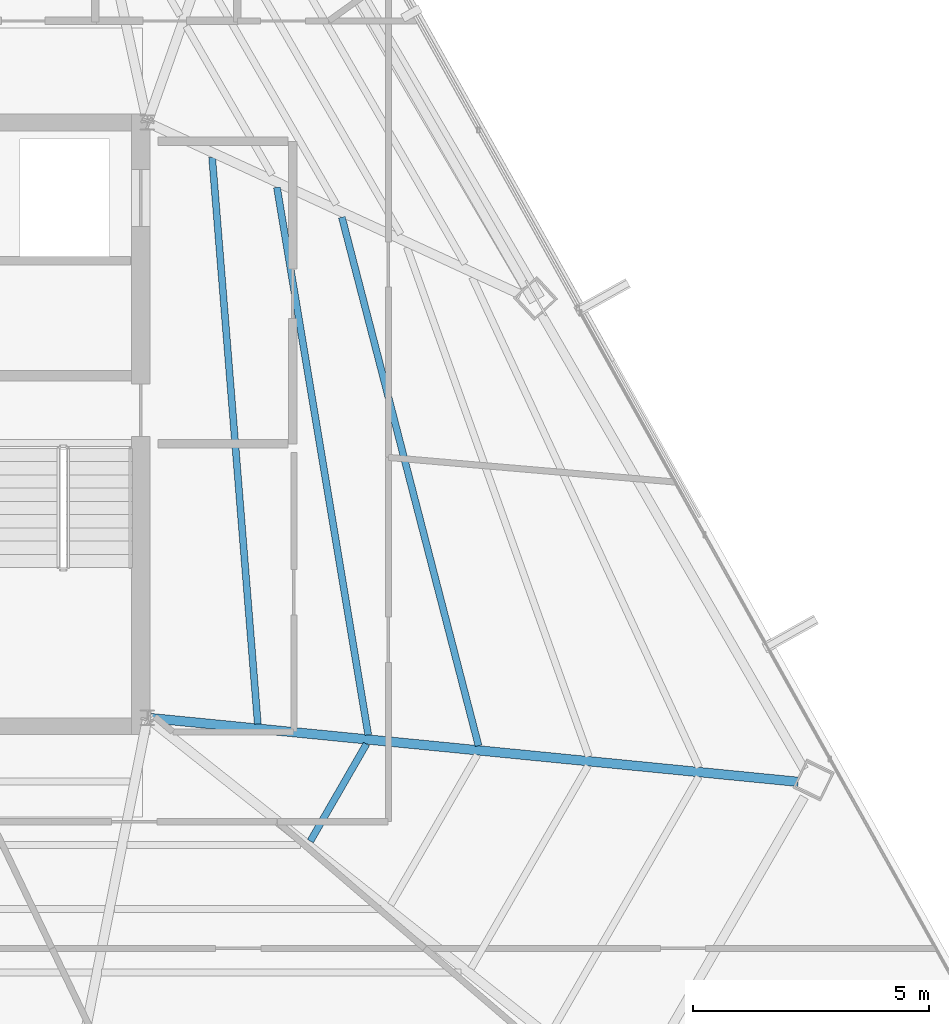
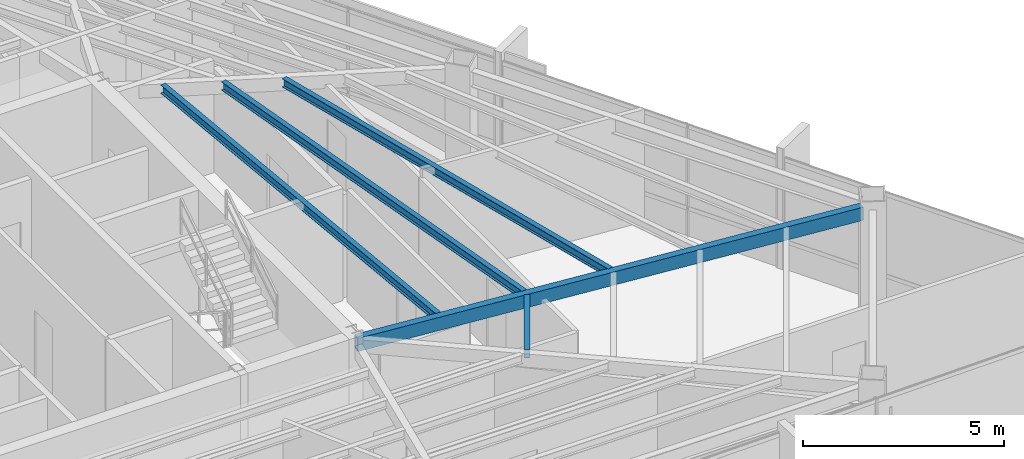
# One storey, part 22 of 46: 5 beams.
"""IFC4 building model written with IfcOpenShell, lengths in metres."""

from ifc_helpers import new_model, si_unit, direction, frame, origin, origin_2d, place, context, subcontext, project, spatial, hollow_rectangle, i_section, extrude, source, transform, mapped, material, material_profile, profile_set, type_object, type_shapes, element, save


model = new_model("IFC4")

# Units and contexts
model_context = context("Model", 3, precision=1e-05, world=origin(), true_north=direction((0.0, 1.0)))
body_context = subcontext(model_context, "Body", "Model", "MODEL_VIEW")
ifc_project = project(units=[si_unit("LENGTHUNIT", "METRE"), si_unit("AREAUNIT", "SQUARE_METRE"), si_unit("VOLUMEUNIT", "CUBIC_METRE"), si_unit("PLANEANGLEUNIT", "RADIAN"), si_unit("MASSUNIT", "GRAM", prefix="KILO")], contexts=[model_context])

# Site, building, storey
site_placement = place(None, origin())
site = spatial("IfcSite", under=ifc_project, at=site_placement, CompositionType="ELEMENT")
building_placement = place(site_placement, origin())
building = spatial("IfcBuilding", under=site, at=building_placement, Name="Caelisora Broadcast Tower", CompositionType="ELEMENT")
storey_placement = place(building_placement, frame((0.0, 0.0, 251.75)))
storey = spatial("IfcBuildingStorey", under=building, at=storey_placement, Name="L66", CompositionType="ELEMENT", Elevation=251.75)

# Beams
ifc_material_1 = material(Name="Steel Grade 350 (AS/NZS 1163 C350L0)", Category="steel")
ifc_material_profile_1 = material_profile(ifc_material_1, hollow_rectangle(XDim=0.199951171875, YDim=0.39990234375, WallThickness=0.012451171875, at=origin_2d()), Name="Steel Grade 350 (AS/NZS 1163 C350L0)")
ifc_profile_set_1 = profile_set([ifc_material_profile_1], Name="Steel Grade 350 (AS/NZS 1163 C350L0)")
beam_type_1 = type_object("IfcBeamType", Name="PG07", PredefinedType="BEAM", material=ifc_profile_set_1)
shared_shape_1 = source(origin(), body_context, "Body", "SweptSolid", [
    extrude(hollow_rectangle(XDim=0.199951171875, YDim=0.39990234375, WallThickness=0.012451171875, at=origin_2d()), origin(), (0.0, 0.0, 1.0), 13.780029296875),
])
type_shapes(beam_type_1, [shared_shape_1])
beam_1_placement = place(storey_placement, frame((45.559814453125, 17.39404296875, 3.199951171875), z_axis=(0.995190702829, -0.09795644442, 0.0), x_axis=(0.09795644442, 0.995190702829, 0.0)))
element("IfcBeam", 1, at=beam_1_placement, inside=storey, type_object=beam_type_1, Name="L66 beam PG07", PredefinedType="BEAM", context=body_context, shape_type="MappedRepresentation", body=[
    mapped(shared_shape_1, transform((0.0, 0.0, 0.0), scale=1.0)),
])
ifc_material_2 = material(Name="Steel Grade 350 (AS/NZS 3679.1)", Category="steel")
ifc_material_profile_2 = material_profile(ifc_material_2, i_section(OverallWidth=0.14599609375, OverallDepth=0.256103515625, WebThickness=0.00634765625, FlangeThickness=0.010986328125, at=origin_2d()), Name="Steel Grade 350 (AS/NZS 3679.1)")
ifc_profile_set_2 = profile_set([ifc_material_profile_2], Name="Steel Grade 350 (AS/NZS 3679.1)")
beam_type_2 = type_object("IfcBeamType", Name="SB04", PredefinedType="JOIST", material=ifc_profile_set_2)
shared_shape_2 = source(origin(), body_context, "Body", "SweptSolid", [
    extrude(i_section(OverallWidth=0.14599609375, OverallDepth=0.256103515625, WebThickness=0.00634765625, FlangeThickness=0.010986328125, at=origin_2d()), origin(), (0.0, 0.0, 1.0), 12.032470703125),
])
beam_2_placement = place(storey_placement, frame((47.837158203125, 17.267333984375, 3.27197265625), z_axis=(-0.080328265013, 0.996768463506, 0.0), x_axis=(-0.996768463506, -0.080328265013, 0.0)))
element("IfcBeam", 2, at=beam_2_placement, inside=storey, type_object=beam_type_2, Name="L66 beam SB04", PredefinedType="JOIST", context=body_context, shape_type="MappedRepresentation", body=[
    mapped(shared_shape_2, transform((0.0, 0.0, 0.0), scale=1.0)),
])
shared_shape_3 = source(origin(), body_context, "Body", "SweptSolid", [
    extrude(i_section(OverallWidth=0.14599609375, OverallDepth=0.256103515625, WebThickness=0.00634765625, FlangeThickness=0.010986328125, at=origin_2d()), origin(), (0.0, 0.0, 1.0), 11.75048828125),
])
beam_3_placement = place(storey_placement, frame((50.173583984375, 17.03759765625, 3.27197265625), z_axis=(-0.164324863683, 0.986406274907, 0.0), x_axis=(-0.986406274907, -0.164324863683, 0.0)))
element("IfcBeam", 3, at=beam_3_placement, inside=storey, type_object=beam_type_2, Name="L66 beam SB04", PredefinedType="JOIST", context=body_context, shape_type="MappedRepresentation", body=[
    mapped(shared_shape_3, transform((0.0, 0.0, 0.0), scale=1.0)),
])
shared_shape_4 = source(origin(), body_context, "Body", "SweptSolid", [
    extrude(i_section(OverallWidth=0.14599609375, OverallDepth=0.256103515625, WebThickness=0.00634765625, FlangeThickness=0.010986328125, at=origin_2d()), origin(), (0.0, 0.0, 1.0), 11.555419921875),
])
beam_4_placement = place(storey_placement, frame((52.50927734375, 16.8076171875, 3.27197265625), z_axis=(-0.250322728686, 0.968162450988, 0.0), x_axis=(-0.968162450988, -0.250322728686, 0.0)))
element("IfcBeam", 4, at=beam_4_placement, inside=storey, type_object=beam_type_2, Name="L66 beam SB04", PredefinedType="JOIST", context=body_context, shape_type="MappedRepresentation", body=[
    mapped(shared_shape_4, transform((0.0, 0.0, 0.0), scale=1.0)),
])
shared_shape_5 = source(origin(), body_context, "Body", "SweptSolid", [
    extrude(i_section(OverallWidth=0.14599609375, OverallDepth=0.256103515625, WebThickness=0.00634765625, FlangeThickness=0.010986328125, at=origin_2d()), origin(), (0.0, 0.0, 1.0), 2.374755859375),
])
type_shapes(beam_type_2, [shared_shape_2, shared_shape_3, shared_shape_4, shared_shape_5])
beam_5_placement = place(storey_placement, frame((48.94921875, 14.7890625, 3.27197265625), z_axis=(0.500030943131, 0.866007538022, 0.0), x_axis=(-0.866007538022, 0.500030943131, 0.0)))
element("IfcBeam", 5, at=beam_5_placement, inside=storey, type_object=beam_type_2, Name="L66 beam SB04", PredefinedType="JOIST", context=body_context, shape_type="MappedRepresentation", body=[
    mapped(shared_shape_5, transform((0.0, 0.0, 0.0), scale=1.0)),
])

save(model, "model.ifc")
